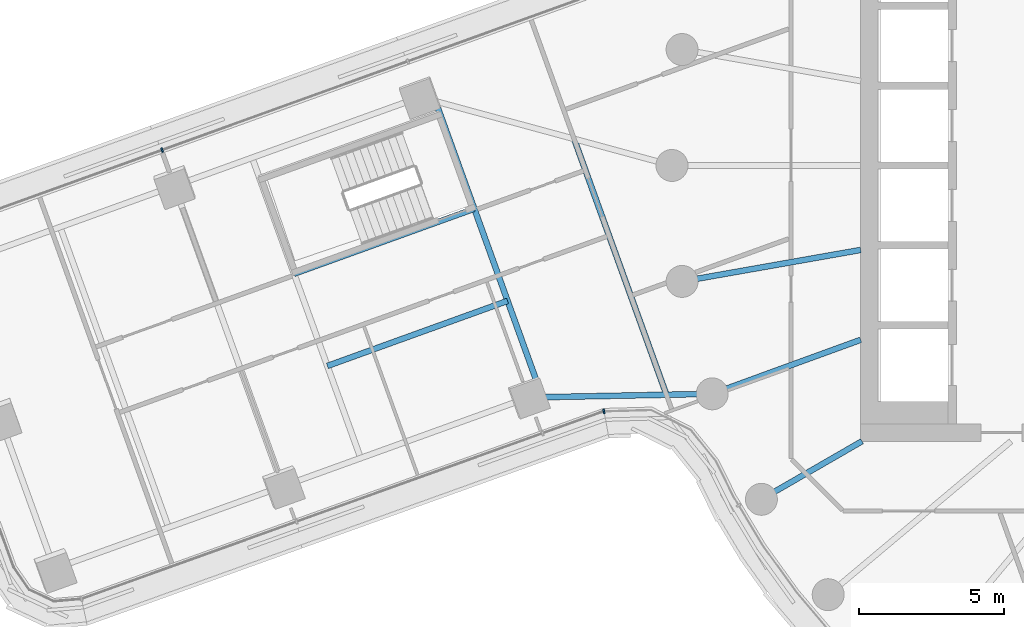
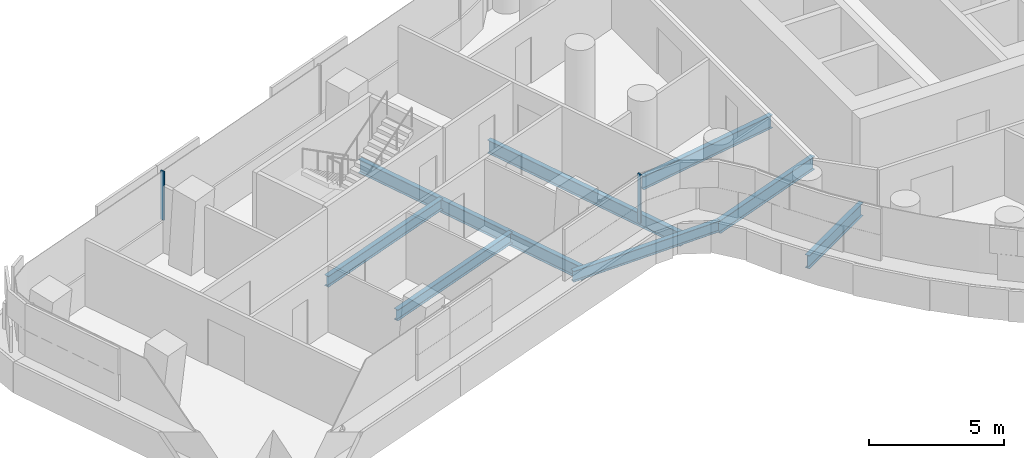
# One storey, part 5 of 30: 8 beams, 2 members, 2 elements without a shape of their own.
"""IFC4 building model written with IfcOpenShell, lengths in metres."""

import ifcopenshell
import ifcopenshell.guid

model = None  # the IFC model being written
_history = None  # IfcOwnerHistory: only IFC2X3 demands one
_inside = {}  # id of a spatial element -> (the spatial element, [elements in it])
_under = {}  # id of a project, library or spatial element -> (it, [spatial elements below it])
_declared = {}  # id of a project -> (the project, [libraries it declares])
_typed = {}  # id of a type object -> (the type object, [elements of that type])
_made_of = {}  # id of a material, layer set ... -> (it, [elements and type objects made of it])


def new_model(schema):
    """Start an empty IFC model of exactly this schema.

    Asked for "IFC4X3", IfcOpenShell would pick the latest addendum, in which some entities
    have other attributes; the version numbers below select the first issue.
    IFC2X3 requires an IfcOwnerHistory on every rooted entity: one is made here for all.
    """
    global model, _history
    if schema == "IFC4X3":
        model = ifcopenshell.file(schema_version=(4, 3, 0, 0))
    else:
        model = ifcopenshell.file(schema=schema)
    _inside.clear()
    _under.clear()
    _declared.clear()
    _typed.clear()
    _made_of.clear()
    _history = None
    if model.schema == "IFC2X3":
        org = make("IfcOrganization", Name="unknown")
        user = make(
            "IfcPersonAndOrganization",
            ThePerson=make("IfcPerson", FamilyName="unknown"),
            TheOrganization=org,
        )
        app = make(
            "IfcApplication",
            ApplicationDeveloper=org,
            Version="unknown",
            ApplicationFullName="unknown",
            ApplicationIdentifier="unknown",
        )
        _history = make(
            "IfcOwnerHistory",
            OwningUser=user,
            OwningApplication=app,
            ChangeAction="ADDED",
            CreationDate=0,
        )
    return model


def make(cls, **values):
    """One entity of the class cls with the attributes given. An attribute that is None is left unset."""
    return model.create_entity(
        cls, **{name: value for name, value in values.items() if value is not None}
    )


def rooted(cls, **values):
    """An entity with a GlobalId (a new one), such as an element, a storey or a relation."""
    return make(cls, GlobalId=ifcopenshell.guid.new(), OwnerHistory=_history, **values)


def si_unit(unit_type, name, prefix=None):
    """IfcSIUnit, for example si_unit("LENGTHUNIT", "METRE", prefix="MILLI")."""
    return make("IfcSIUnit", UnitType=unit_type, Prefix=prefix, Name=name)


def assignment(units):
    """IfcUnitAssignment: the units of a project."""
    return None if units is None else make("IfcUnitAssignment", Units=units)


def point(xyz):
    """IfcCartesianPoint."""
    return None if xyz is None else make("IfcCartesianPoint", Coordinates=xyz)


def direction(xyz):
    """IfcDirection."""
    return None if xyz is None else make("IfcDirection", DirectionRatios=xyz)


def frame(location, z_axis=None, x_axis=None):
    """IfcAxis2Placement3D, a coordinate frame: its origin and axes. An axis left out is left unset."""
    return make(
        "IfcAxis2Placement3D",
        Location=point(location),
        Axis=direction(z_axis),
        RefDirection=direction(x_axis),
    )


def frame_2d(location, x_axis=None):
    """IfcAxis2Placement2D, a coordinate frame in the plane: its origin and x axis."""
    return make(
        "IfcAxis2Placement2D", Location=point(location), RefDirection=direction(x_axis)
    )


def origin():
    """The frame at (0, 0, 0) with its axes left unset."""
    return frame((0.0, 0.0, 0.0))


def origin_2d():
    """The frame at (0, 0) in the plane with its x axis left unset."""
    return frame_2d((0.0, 0.0))


def place(relative_to, where):
    """IfcLocalPlacement: puts the frame where relative to a parent placement (None: the world)."""
    return make(
        "IfcLocalPlacement", PlacementRelTo=relative_to, RelativePlacement=where
    )


def context(
    kind, dimensions, precision=None, world=None, true_north=None, identifier=None
):
    """IfcGeometricRepresentationContext, for example the 3D "Model" context."""
    return make(
        "IfcGeometricRepresentationContext",
        ContextIdentifier=identifier,
        ContextType=kind,
        CoordinateSpaceDimension=dimensions,
        Precision=precision,
        WorldCoordinateSystem=world,
        TrueNorth=true_north,
    )


def subcontext(parent, identifier, kind, view, scale=None):
    """IfcGeometricRepresentationSubContext, for example "Body" below "Model"."""
    return make(
        "IfcGeometricRepresentationSubContext",
        ContextIdentifier=identifier,
        ContextType=kind,
        ParentContext=parent,
        TargetScale=scale,
        TargetView=view,
    )


def project(units=None, contexts=None):
    """IfcProject with its units and contexts."""
    return rooted(
        "IfcProject",
        Name="project",
        RepresentationContexts=contexts,
        UnitsInContext=assignment(units),
    )


def spatial(cls, under=None, at=None, **own):
    """A site, building, storey or space (cls), placed at a placement, below another one or the project."""
    s = rooted(cls, ObjectPlacement=at, **own)
    if under is not None:
        _under.setdefault(under.id(), (under, []))[1].append(s)
    return s


def profile(cls, at=None, kind="AREA", **sizes):
    """A parametric profile (cls). Its sizes go by their IFC names, for example OverallWidth=200.0."""
    return make(cls, ProfileType=kind, Position=at, **sizes)


def rectangle(**sizes):
    """IfcRectangleProfileDef."""
    return profile("IfcRectangleProfileDef", **sizes)


def i_section(**sizes):
    """IfcIShapeProfileDef."""
    return profile("IfcIShapeProfileDef", **sizes)


def extrude(swept, where, along, depth):
    """IfcExtrudedAreaSolid: the profile swept, set in the frame where, extruded along a direction by depth."""
    return make(
        "IfcExtrudedAreaSolid",
        SweptArea=swept,
        Position=where,
        ExtrudedDirection=direction(along),
        Depth=depth,
    )


def shape(context_of_items, identifier, shape_type, items):
    """IfcShapeRepresentation: the items that make up one representation, for example the "Body"."""
    return make(
        "IfcShapeRepresentation",
        ContextOfItems=context_of_items,
        RepresentationIdentifier=identifier,
        RepresentationType=shape_type,
        Items=items,
    )


def material(Name=None, Category=None):
    """IfcMaterial."""
    return make("IfcMaterial", Name=Name, Category=Category)


def layer(
    of_material, thickness, ventilated=None, Name=None, Category=None, Priority=None
):
    """IfcMaterialLayer: one layer of a wall or slab, of a material (None: an air gap)."""
    return make(
        "IfcMaterialLayer",
        Material=of_material,
        LayerThickness=thickness,
        IsVentilated=ventilated,
        Name=Name,
        Category=Category,
        Priority=Priority,
    )


def layer_set(layers, Name=None):
    """IfcMaterialLayerSet."""
    return make("IfcMaterialLayerSet", MaterialLayers=layers, LayerSetName=Name)


def material_profile(
    of_material, cross_section, Name=None, Category=None, Priority=None
):
    """IfcMaterialProfile: a cross section and its material."""
    return make(
        "IfcMaterialProfile",
        Name=Name,
        Material=of_material,
        Profile=cross_section,
        Priority=Priority,
        Category=Category,
    )


def profile_set(profiles, Name=None, composite=None):
    """IfcMaterialProfileSet."""
    return make(
        "IfcMaterialProfileSet",
        Name=Name,
        MaterialProfiles=profiles,
        CompositeProfile=composite,
    )


def made_of(thing, what):
    """Note that an element or type object is made of a material, layer set ...; save() writes the relation."""
    if what is not None:
        _made_of.setdefault(what.id(), (what, []))[1].append(thing)
    return thing


def type_object(cls, material=None, **own):
    """A type object (cls), such as IfcWallType, which elements share."""
    return made_of(rooted(cls, **own), material)


def element(
    cls,
    number,
    at=None,
    inside=None,
    cuts=None,
    type_object=None,
    material=None,
    context=None,
    identifier="Body",
    shape_type=None,
    held_by="IfcProductDefinitionShape",
    body=None,
    shapes=None,
    **own,
):
    """One element of the class cls, such as IfcWall. Its Tag is "e" and its number.

    at: its placement. inside: the storey or other place that contains it. cuts: it is an
    opening in that element (IfcRelVoidsElement). A single representation is given by context,
    identifier, shape_type and body (its items); several are given by shapes. held_by: the class
    of the entity that holds the representations. save() writes the other relations.
    """
    e = rooted(cls, Tag="e%d" % number, ObjectPlacement=at, **own)
    if body is not None:
        shapes = [shape(context, identifier, shape_type, body)]
    if shapes is not None:
        e.Representation = make(held_by, Representations=shapes)
    if inside is not None:
        _inside.setdefault(inside.id(), (inside, []))[1].append(e)
    if cuts is not None:
        rooted(
            "IfcRelVoidsElement", RelatingBuildingElement=cuts, RelatedOpeningElement=e
        )
    if type_object is not None:
        _typed.setdefault(type_object.id(), (type_object, []))[1].append(e)
    return made_of(e, material)


def aggregate(whole, parts):
    """IfcRelAggregates: a whole, such as a stair, and the parts it consists of."""
    return rooted("IfcRelAggregates", RelatingObject=whole, RelatedObjects=parts)


def save(model, path):
    """Write the relations noted so far, then the file.

    IfcRelAggregates (storeys below a building ...), IfcRelContainedInSpatialStructure (elements
    in a storey), IfcRelDefinesByType, IfcRelAssociatesMaterial and IfcRelDeclares: one each for
    every whole, place, type object, material and project.
    """
    for whole, parts in _under.values():
        aggregate(whole, parts)
    for where, things in _inside.values():
        rooted(
            "IfcRelContainedInSpatialStructure",
            RelatedElements=things,
            RelatingStructure=where,
        )
    for kind, things in _typed.values():
        rooted("IfcRelDefinesByType", RelatedObjects=things, RelatingType=kind)
    for what, things in _made_of.values():
        rooted("IfcRelAssociatesMaterial", RelatedObjects=things, RelatingMaterial=what)
    for by, libraries in _declared.values():
        rooted("IfcRelDeclares", RelatingContext=by, RelatedDefinitions=libraries)
    model.write(path)


model = new_model("IFC4")

# Units and contexts
model_context = context("Model", 3, precision=1e-05, world=origin(), true_north=direction((0.0, 1.0)))
body_context = subcontext(model_context, "Body", "Model", "MODEL_VIEW")
ifc_project = project(units=[si_unit("LENGTHUNIT", "METRE"), si_unit("AREAUNIT", "SQUARE_METRE"), si_unit("VOLUMEUNIT", "CUBIC_METRE"), si_unit("PLANEANGLEUNIT", "RADIAN"), si_unit("MASSUNIT", "GRAM", prefix="KILO")], contexts=[model_context])

# Site, building, storey
site_placement = place(None, origin())
site = spatial("IfcSite", under=ifc_project, at=site_placement, CompositionType="ELEMENT")
building_placement = place(site_placement, origin())
building = spatial("IfcBuilding", under=site, at=building_placement, Name="Tamarind Cross Interchange Tower", CompositionType="ELEMENT")
storey_placement = place(building_placement, frame((0.0, 0.0, 106.0)))
storey = spatial("IfcBuildingStorey", under=building, at=storey_placement, Name="L25", CompositionType="ELEMENT", Elevation=106.0)

# Beams
ifc_material_1 = material(Name="Steel Q355B", Category="steel")
ifc_material_profile_1 = material_profile(ifc_material_1, i_section(OverallWidth=0.198974609375, OverallDepth=0.49609375, WebThickness=0.009033203125, FlangeThickness=0.013916015625, FilletRadius=0.012939453125, at=origin_2d()), Name="HN 496x199x9x14")
ifc_profile_set_1 = profile_set([ifc_material_profile_1], Name="Steel Q355B")
beam_type_1 = type_object("IfcBeamType", Name="Composite beam HN 496x199x9x14 Q355B", PredefinedType="BEAM", material=ifc_profile_set_1)
beam_1_placement = place(storey_placement, frame((-27.939208984375, -7.99169921875, -0.387939453125), z_axis=(0.999804081602, 0.019793898343, 0.0), x_axis=(-0.019793898343, 0.999804081602, 0.0)))
element("IfcBeam", 1, at=beam_1_placement, inside=storey, type_object=beam_type_1, Name="Beam W-linkep", PredefinedType="BEAM", context=body_context, shape_type="SweptSolid", body=[
    extrude(i_section(OverallWidth=0.198974609375, OverallDepth=0.49609375, WebThickness=0.009033203125, FlangeThickness=0.013916015625, FilletRadius=0.012939453125, at=origin_2d()), origin(), (0.0, 0.0, 1.0), 6.327392578125),
])
for number, where, z_axis, x_axis, name in (
    (2, (-29.80810546875, -1.489990234375, -0.387939453125), (-0.940577203245, -0.339579923931, 0.0), (0.339579923931, -0.940577203245, 0.0), "Beam W-tr1"),
    (3, (-28.661865234375, -4.664306640625, -0.387939453125), (-0.940577203245, -0.339579923931, 0.0), (0.339579923931, -0.940577203245, 0.0), "Beam W-stripp"),
):
    element("IfcBeam", number, at=place(storey_placement, frame(where, z_axis=z_axis, x_axis=x_axis)), inside=storey, type_object=beam_type_1, Name=name, PredefinedType="BEAM", context=body_context, shape_type="SweptSolid", body=[
        extrude(i_section(OverallWidth=0.198974609375, OverallDepth=0.49609375, WebThickness=0.009033203125, FlangeThickness=0.013916015625, FilletRadius=0.012939453125, at=origin_2d()), origin(), (0.0, 0.0, 1.0), 6.599853515625),
    ])
ifc_material_profile_2 = material_profile(ifc_material_1, i_section(OverallWidth=0.198974609375, OverallDepth=0.595947265625, WebThickness=0.010009765625, FlangeThickness=0.014892578125, FilletRadius=0.012939453125, at=origin_2d()), Name="HN 596x199x10x15")
ifc_profile_set_2 = profile_set([ifc_material_profile_2], Name="Steel Q355B")
beam_type_2 = type_object("IfcBeamType", Name="Composite beam HN 596x199x10x15 Q355B", PredefinedType="BEAM", material=ifc_profile_set_2)
beam_2_placement = place(storey_placement, frame((-22.650634765625, -3.993896484375, -0.43798828125), z_axis=(0.984809127561, 0.173640382036, 0.0), x_axis=(-0.173640382036, 0.984809127561, 0.0)))
element("IfcBeam", 4, at=beam_2_placement, inside=storey, type_object=beam_type_2, Name="Beam HH19", PredefinedType="BEAM", context=body_context, shape_type="SweptSolid", body=[
    extrude(i_section(OverallWidth=0.198974609375, OverallDepth=0.595947265625, WebThickness=0.010009765625, FlangeThickness=0.014892578125, FilletRadius=0.012939453125, at=origin_2d()), origin(), (0.0, 0.0, 1.0), 6.24560546875),
])
beam_3_placement = place(storey_placement, frame((-21.613037109375, -7.866455078125, -0.43798828125), z_axis=(0.939701685589, 0.341995236956, 0.0), x_axis=(-0.341995236956, 0.939701685589, 0.0)))
element("IfcBeam", 5, at=beam_3_placement, inside=storey, type_object=beam_type_2, Name="Beam HH20", PredefinedType="BEAM", context=body_context, shape_type="SweptSolid", body=[
    extrude(i_section(OverallWidth=0.198974609375, OverallDepth=0.595947265625, WebThickness=0.010009765625, FlangeThickness=0.014892578125, FilletRadius=0.012939453125, at=origin_2d()), origin(), (0.0, 0.0, 1.0), 5.441162109375),
])
beam_4_placement = place(storey_placement, frame((-19.918701171875, -11.5, -0.43798828125), z_axis=(0.866026010844, 0.49999894854, 0.0), x_axis=(-0.49999894854, 0.866026010844, 0.0)))
element("IfcBeam", 6, at=beam_4_placement, inside=storey, type_object=beam_type_2, Name="Beam HH21", PredefinedType="BEAM", context=body_context, shape_type="SweptSolid", body=[
    extrude(i_section(OverallWidth=0.198974609375, OverallDepth=0.595947265625, WebThickness=0.010009765625, FlangeThickness=0.014892578125, FilletRadius=0.012939453125, at=origin_2d()), origin(), (0.0, 0.0, 1.0), 4.0),
])
ifc_material_profile_3 = material_profile(ifc_material_1, i_section(OverallWidth=0.199951171875, OverallDepth=0.60009765625, WebThickness=0.010986328125, FlangeThickness=0.01708984375, FilletRadius=0.012939453125, at=origin_2d()), Name="HN 600x200x11x17")
ifc_profile_set_3 = profile_set([ifc_material_profile_3], Name="Steel Q355B")
beam_type_3 = type_object("IfcBeamType", Name="Composite beam HN 600x200x11x17 Q355B", PredefinedType="BEAM", material=ifc_profile_set_3)
beam_5_placement = place(storey_placement, frame((-31.14404296875, 2.210693359375, -0.43994140625), z_axis=(0.339576922572, -0.94057828683, 0.0), x_axis=(0.94057828683, 0.339576922572, 0.0)))
element("IfcBeam", 7, at=beam_5_placement, inside=storey, type_object=beam_type_3, Name="Beam W-x298", PredefinedType="BEAM", context=body_context, shape_type="SweptSolid", body=[
    extrude(i_section(OverallWidth=0.199951171875, OverallDepth=0.60009765625, WebThickness=0.010986328125, FlangeThickness=0.01708984375, FilletRadius=0.012939453125, at=origin_2d()), origin(), (0.0, 0.0, 1.0), 10.8369140625),
])
beam_6_placement = place(storey_placement, frame((-26.370361328125, 0.914794921875, -0.43994140625), z_axis=(0.339582991955, -0.940576095579, 0.0), x_axis=(0.940576095579, 0.339582991955, 0.0)))
element("IfcBeam", 8, at=beam_6_placement, inside=storey, type_object=beam_type_3, Name="Beam W-x258", PredefinedType="BEAM", context=body_context, shape_type="SweptSolid", body=[
    extrude(i_section(OverallWidth=0.199951171875, OverallDepth=0.60009765625, WebThickness=0.010986328125, FlangeThickness=0.01708984375, FilletRadius=0.012939453125, at=origin_2d()), origin(), (0.0, 0.0, 1.0), 9.369140625),
])

# Curtain wall, member
ifc_material_2 = material(Name="Aluminium 6063-T6", Category="aluminium")
ifc_layer = layer(ifc_material_2, 0.159912109375)
ifc_layer_set = layer_set([ifc_layer], Name="Aluminium 6063-T6")
curtain_wall_type = type_object("IfcCurtainWallType", Name="Office curtain wall, 9.0 m bays", PredefinedType="NOTDEFINED", material=ifc_layer_set)
curtain_wall_1_placement = place(storey_placement, origin())
curtain_wall_1 = element("IfcCurtainWall", 9, at=curtain_wall_1_placement, inside=storey, type_object=curtain_wall_type, Name="CWS-L25-02", PredefinedType="NOTDEFINED")
ifc_material_profile_4 = material_profile(ifc_material_2, rectangle(XDim=0.06005859375, YDim=0.159912109375, at=origin_2d()), Name="Mullion CW1")
ifc_profile_set_4 = profile_set([ifc_material_profile_4], Name="Aluminium 6063-T6")
member_type = type_object("IfcMemberType", Name="Mullion CW1", PredefinedType="MULLION", material=ifc_profile_set_4)
member_1_placement = place(storey_placement, frame((-25.34326171875, -8.468017578125, 1.39990234375), z_axis=(0.0, 0.0, 1.0), x_axis=(0.982624059404, 0.185606998467, 0.0)))
member_1 = element("IfcMember", 10, at=member_1_placement, type_object=member_type, Name="CWM-L25-02-00", PredefinedType="MULLION", context=body_context, shape_type="SweptSolid", body=[
    extrude(rectangle(XDim=0.06005859375, YDim=0.159912109375, at=origin_2d()), origin(), (0.0, 0.0, 1.0), 2.210205078125),
])
aggregate(curtain_wall_1, [member_1])

curtain_wall_2_placement = place(storey_placement, origin())
curtain_wall_2 = element("IfcCurtainWall", 11, at=curtain_wall_2_placement, inside=storey, type_object=curtain_wall_type, Name="CWS-L25-15", PredefinedType="NOTDEFINED")
member_2_placement = place(storey_placement, frame((-40.5595703125, 0.529052734375, 1.39990234375), z_axis=(0.0, 0.0, 1.0), x_axis=(-0.94057769422, -0.339578564011, 0.0)))
member_2 = element("IfcMember", 12, at=member_2_placement, type_object=member_type, Name="CWM-L25-15-02", PredefinedType="MULLION", context=body_context, shape_type="SweptSolid", body=[
    extrude(rectangle(XDim=0.06005859375, YDim=0.159912109375, at=origin_2d()), origin(), (0.0, 0.0, 1.0), 2.210205078125),
])
aggregate(curtain_wall_2, [member_2])

save(model, "model.ifc")
